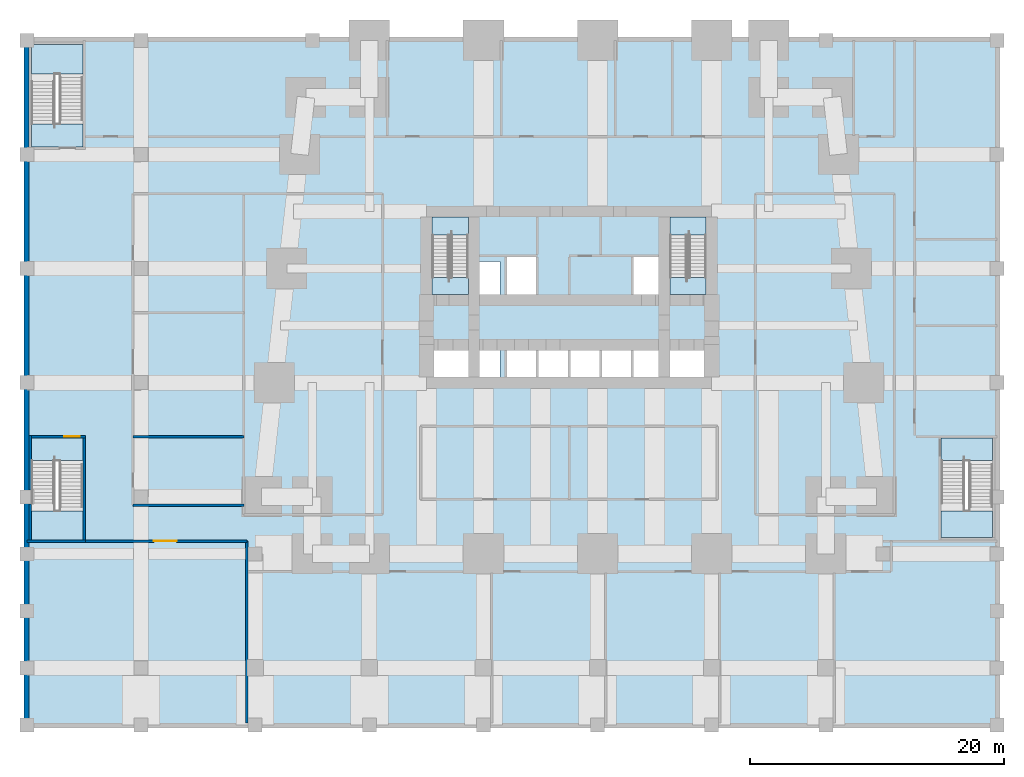
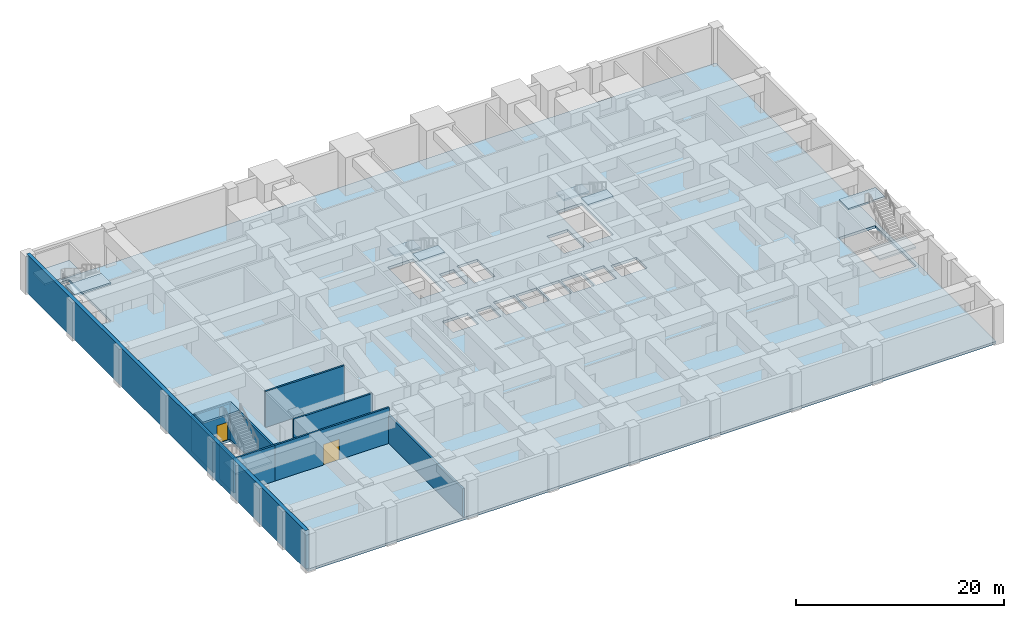
# One storey, part 2 of 8: 11 slabs, 10 walls, 2 doors, 2 openings, 5 elements without a shape of their own.
"""IFC4 building model written with IfcOpenShell, lengths in metres."""

from ifc_helpers import new_model, si_unit, direction, frame, frame_2d, origin, place, context, subcontext, project, spatial, polyline, rectangle, outline, extrude, material, layer, layer_set, type_object, element, fill, aggregate, save


model = new_model("IFC4")

# Units and contexts
model_context = context("Model", 3, precision=1e-05, world=origin(), true_north=direction((0.0, 1.0)))
body_context = subcontext(model_context, "Body", "Model", "MODEL_VIEW")
ifc_project = project(units=[si_unit("LENGTHUNIT", "METRE"), si_unit("AREAUNIT", "SQUARE_METRE"), si_unit("VOLUMEUNIT", "CUBIC_METRE"), si_unit("PLANEANGLEUNIT", "RADIAN"), si_unit("MASSUNIT", "GRAM", prefix="KILO")], contexts=[model_context])

# Site, building, storey
site_placement = place(None, origin())
site = spatial("IfcSite", under=ifc_project, at=site_placement, CompositionType="ELEMENT")
building_placement = place(site_placement, origin())
building = spatial("IfcBuilding", under=site, at=building_placement, Name="Kilele Tower Hotel", CompositionType="ELEMENT")
storey_placement = place(building_placement, frame((0.0, 0.0, -4.5)))
storey = spatial("IfcBuildingStorey", under=building, at=storey_placement, Name="B1", CompositionType="ELEMENT", Elevation=-4.5)

# Slab
ifc_material_1 = material(Name="Concrete C60/75", Category="concrete")
ifc_layer_1 = layer(ifc_material_1, 0.300048828125)
ifc_layer_set_1 = layer_set([ifc_layer_1], Name="Concrete C60/75")
slab_type_1 = type_object("IfcSlabType", Name="Floor slab 300", PredefinedType="FLOOR", material=ifc_layer_set_1)
slab_1_placement = place(storey_placement, frame((0.0, 0.0, -0.300048828125)))
element("IfcSlab", 1, at=slab_1_placement, inside=storey, type_object=slab_type_1, Name="Floor slab B1", PredefinedType="FLOOR", context=body_context, shape_type="SweptSolid", body=[
    extrude(outline(polyline([(-18.0, -13.5), (-18.0, 40.5), (58.5, 40.5), (58.5, -13.5), (-18.0, -13.5)]), holes=[polyline([(-13.60009765625, 1.10009765625), (-13.60009765625, 9.14990234375), (-17.64990234375, 9.14990234375), (-17.64990234375, 1.10009765625), (-13.60009765625, 1.10009765625)]), polyline([(16.800048828125, 13.949951171875), (16.800048828125, 16.050048828125), (13.949951171875, 16.050048828125), (13.949951171875, 13.949951171875), (16.800048828125, 13.949951171875)]), polyline([(19.300048828125, 13.949951171875), (19.300048828125, 16.050048828125), (17.699951171875, 16.050048828125), (17.699951171875, 13.949951171875), (19.300048828125, 13.949951171875)]), polyline([(22.14990234375, 13.949951171875), (22.14990234375, 16.39990234375), (19.85009765625, 16.39990234375), (19.85009765625, 13.949951171875), (22.14990234375, 13.949951171875)]), polyline([(19.300048828125, 20.449951171875), (19.300048828125, 23.050048828125), (17.699951171875, 23.050048828125), (17.699951171875, 20.449951171875), (19.300048828125, 20.449951171875)]), polyline([(22.14990234375, 20.10009765625), (22.14990234375, 23.39990234375), (19.85009765625, 23.39990234375), (19.85009765625, 20.10009765625), (22.14990234375, 20.10009765625)]), polyline([(16.800048828125, 20.449951171875), (16.800048828125, 26.550048828125), (13.949951171875, 26.550048828125), (13.949951171875, 20.449951171875), (16.800048828125, 20.449951171875)]), polyline([(-13.60009765625, 32.10009765625), (-13.60009765625, 40.14990234375), (-17.64990234375, 40.14990234375), (-17.64990234375, 32.10009765625), (-13.60009765625, 32.10009765625)]), polyline([(58.14990234375, 1.300048828125), (58.14990234375, 9.14990234375), (54.10009765625, 9.14990234375), (54.10009765625, 1.300048828125), (58.14990234375, 1.300048828125)]), polyline([(35.550048828125, 13.949951171875), (35.550048828125, 16.050048828125), (32.699951171875, 16.050048828125), (32.699951171875, 13.949951171875), (35.550048828125, 13.949951171875)]), polyline([(24.64990234375, 13.949951171875), (24.64990234375, 16.39990234375), (22.35009765625, 16.39990234375), (22.35009765625, 13.949951171875), (24.64990234375, 13.949951171875)]), polyline([(27.14990234375, 13.949951171875), (27.14990234375, 16.39990234375), (24.85009765625, 16.39990234375), (24.85009765625, 13.949951171875), (27.14990234375, 13.949951171875)]), polyline([(29.64990234375, 13.949951171875), (29.64990234375, 16.39990234375), (27.35009765625, 16.39990234375), (27.35009765625, 13.949951171875), (29.64990234375, 13.949951171875)]), polyline([(32.14990234375, 13.949951171875), (32.14990234375, 16.39990234375), (29.85009765625, 16.39990234375), (29.85009765625, 13.949951171875), (32.14990234375, 13.949951171875)]), polyline([(32.14990234375, 20.10009765625), (32.14990234375, 23.39990234375), (29.85009765625, 23.39990234375), (29.85009765625, 20.10009765625), (32.14990234375, 20.10009765625)]), polyline([(35.550048828125, 20.449951171875), (35.550048828125, 26.550048828125), (32.699951171875, 26.550048828125), (32.699951171875, 20.449951171875), (35.550048828125, 20.449951171875)])]), origin(), (0.0, 0.0, 1.0), 0.300048828125),
])

# Stair, slabs
ifc_material_2 = material(Name="Precast concrete C40/50", Category="concrete")
stair_type_1 = type_object("IfcStairType", Name="Stair 1325 x 4500", PredefinedType="HALF_TURN_STAIR", material=ifc_material_2)
stair_1_placement = place(storey_placement, origin())
stair_1 = element("IfcStair", 2, at=stair_1_placement, inside=storey, type_object=stair_type_1, Name="Stair 1 B1", PredefinedType="HALF_TURN_STAIR")
ifc_material_3 = material(Name="Precast concrete C40/50", Category="concrete")
ifc_layer_2 = layer(ifc_material_3, 0.199951171875)
ifc_layer_set_2 = layer_set([ifc_layer_2], Name="Precast concrete C40/50")
slab_type_2 = type_object("IfcSlabType", Name="Stair landing 200", PredefinedType="LANDING", material=ifc_layer_set_2)
slab_2_placement = place(storey_placement, frame((0.0, 0.0, 2.050048828125)))
slab_2 = element("IfcSlab", 3, at=slab_2_placement, type_object=slab_type_2, Name="ST1 landing 1", PredefinedType="LANDING", context=body_context, shape_type="SweptSolid", body=[
    extrude(outline(polyline([(13.949951171875, 25.135009765625), (16.800048828125, 25.135009765625), (16.800048828125, 26.550048828125), (13.949951171875, 26.550048828125), (13.949951171875, 25.135009765625)])), origin(), (0.0, 0.0, 1.0), 0.199951171875),
])
slab_3_placement = place(storey_placement, frame((0.0, 0.0, 4.300048828125)))
slab_3 = element("IfcSlab", 4, at=slab_3_placement, type_object=slab_type_2, Name="ST1 landing 2", PredefinedType="LANDING", context=body_context, shape_type="SweptSolid", body=[
    extrude(outline(polyline([(13.949951171875, 20.449951171875), (16.800048828125, 20.449951171875), (16.800048828125, 21.77490234375), (13.949951171875, 21.77490234375), (13.949951171875, 20.449951171875)])), origin(), (0.0, 0.0, 1.0), 0.199951171875),
])
aggregate(stair_1, [slab_2, slab_3])

stair_2_placement = place(storey_placement, origin())
stair_2 = element("IfcStair", 5, at=stair_2_placement, inside=storey, type_object=stair_type_1, Name="Stair 2 B1", PredefinedType="HALF_TURN_STAIR")
slab_4_placement = place(storey_placement, frame((0.0, 0.0, 2.050048828125)))
slab_4 = element("IfcSlab", 6, at=slab_4_placement, type_object=slab_type_2, Name="ST2 landing 1", PredefinedType="LANDING", context=body_context, shape_type="SweptSolid", body=[
    extrude(outline(polyline([(32.699951171875, 25.135009765625), (35.550048828125, 25.135009765625), (35.550048828125, 26.550048828125), (32.699951171875, 26.550048828125), (32.699951171875, 25.135009765625)])), origin(), (0.0, 0.0, 1.0), 0.199951171875),
])
slab_5_placement = place(storey_placement, frame((0.0, 0.0, 4.300048828125)))
slab_5 = element("IfcSlab", 7, at=slab_5_placement, type_object=slab_type_2, Name="ST2 landing 2", PredefinedType="LANDING", context=body_context, shape_type="SweptSolid", body=[
    extrude(outline(polyline([(32.699951171875, 20.449951171875), (35.550048828125, 20.449951171875), (35.550048828125, 21.77490234375), (32.699951171875, 21.77490234375), (32.699951171875, 20.449951171875)])), origin(), (0.0, 0.0, 1.0), 0.199951171875),
])
aggregate(stair_2, [slab_4, slab_5])

ifc_material_4 = material(Name="Precast concrete C40/50", Category="concrete")
stair_type_2 = type_object("IfcStairType", Name="Stair 1800 x 4500", PredefinedType="HALF_TURN_STAIR", material=ifc_material_4)
stair_3_placement = place(storey_placement, origin())
stair_3 = element("IfcStair", 8, at=stair_3_placement, inside=storey, type_object=stair_type_2, Name="Stair 3 B1", PredefinedType="HALF_TURN_STAIR")
slab_6_placement = place(storey_placement, frame((0.0, 0.0, 2.050048828125)))
slab_6 = element("IfcSlab", 9, at=slab_6_placement, type_object=slab_type_2, Name="ST3 landing 1", PredefinedType="LANDING", context=body_context, shape_type="SweptSolid", body=[
    extrude(outline(polyline([(-17.64990234375, 37.860107421875), (-13.60009765625, 37.860107421875), (-13.60009765625, 40.14990234375), (-17.64990234375, 40.14990234375), (-17.64990234375, 37.860107421875)])), origin(), (0.0, 0.0, 1.0), 0.199951171875),
])
slab_7_placement = place(storey_placement, frame((0.0, 0.0, 4.300048828125)))
slab_7 = element("IfcSlab", 10, at=slab_7_placement, type_object=slab_type_2, Name="ST3 landing 2", PredefinedType="LANDING", context=body_context, shape_type="SweptSolid", body=[
    extrude(outline(polyline([(-17.64990234375, 32.10009765625), (-13.60009765625, 32.10009765625), (-13.60009765625, 33.89990234375), (-17.64990234375, 33.89990234375), (-17.64990234375, 32.10009765625)])), origin(), (0.0, 0.0, 1.0), 0.199951171875),
])
aggregate(stair_3, [slab_6, slab_7])

stair_4_placement = place(storey_placement, origin())
stair_4 = element("IfcStair", 11, at=stair_4_placement, inside=storey, type_object=stair_type_2, Name="Stair 4 B1", PredefinedType="HALF_TURN_STAIR")
slab_8_placement = place(storey_placement, frame((0.0, 0.0, 2.050048828125)))
slab_8 = element("IfcSlab", 12, at=slab_8_placement, type_object=slab_type_2, Name="ST4 landing 1", PredefinedType="LANDING", context=body_context, shape_type="SweptSolid", body=[
    extrude(outline(polyline([(-17.64990234375, 1.10009765625), (-13.60009765625, 1.10009765625), (-13.60009765625, 3.389892578125), (-17.64990234375, 3.389892578125), (-17.64990234375, 1.10009765625)])), origin(), (0.0, 0.0, 1.0), 0.199951171875),
])
slab_9_placement = place(storey_placement, frame((0.0, 0.0, 4.300048828125)))
slab_9 = element("IfcSlab", 13, at=slab_9_placement, type_object=slab_type_2, Name="ST4 landing 2", PredefinedType="LANDING", context=body_context, shape_type="SweptSolid", body=[
    extrude(outline(polyline([(-17.64990234375, 7.35009765625), (-13.60009765625, 7.35009765625), (-13.60009765625, 9.14990234375), (-17.64990234375, 9.14990234375), (-17.64990234375, 7.35009765625)])), origin(), (0.0, 0.0, 1.0), 0.199951171875),
])
aggregate(stair_4, [slab_8, slab_9])

stair_5_placement = place(storey_placement, origin())
stair_5 = element("IfcStair", 14, at=stair_5_placement, inside=storey, type_object=stair_type_2, Name="Stair 5 B1", PredefinedType="HALF_TURN_STAIR")
slab_10_placement = place(storey_placement, frame((0.0, 0.0, 2.050048828125)))
slab_10 = element("IfcSlab", 15, at=slab_10_placement, type_object=slab_type_2, Name="ST5 landing 1", PredefinedType="LANDING", context=body_context, shape_type="SweptSolid", body=[
    extrude(outline(polyline([(54.10009765625, 1.300048828125), (58.14990234375, 1.300048828125), (58.14990234375, 3.389892578125), (54.10009765625, 3.389892578125), (54.10009765625, 1.300048828125)])), origin(), (0.0, 0.0, 1.0), 0.199951171875),
])
slab_11_placement = place(storey_placement, frame((0.0, 0.0, 4.300048828125)))
slab_11 = element("IfcSlab", 16, at=slab_11_placement, type_object=slab_type_2, Name="ST5 landing 2", PredefinedType="LANDING", context=body_context, shape_type="SweptSolid", body=[
    extrude(outline(polyline([(54.10009765625, 7.35009765625), (58.14990234375, 7.35009765625), (58.14990234375, 9.14990234375), (54.10009765625, 9.14990234375), (54.10009765625, 7.35009765625)])), origin(), (0.0, 0.0, 1.0), 0.199951171875),
])
aggregate(stair_5, [slab_10, slab_11])

# Walls
ifc_material_5 = material(Name="Concrete C70/85", Category="concrete")
ifc_layer_3 = layer(ifc_material_5, 0.39990234375)
ifc_layer_set_3 = layer_set([ifc_layer_3], Name="Concrete C70/85")
wall_type_1 = type_object("IfcWallType", Name="Basement retaining wall 400", PredefinedType="SOLIDWALL", material=ifc_layer_set_3)
wall_1_placement = place(storey_placement, frame((-18.050048828125, 40.35009765625, 0.0), z_axis=(0.0, 0.0, 1.0), x_axis=(0.0, -1.0, 0.0)))
element("IfcWall", 17, at=wall_1_placement, inside=storey, type_object=wall_type_1, Name="Retaining wall B1 W", PredefinedType="SOLIDWALL", context=body_context, shape_type="SweptSolid", body=[
    extrude(rectangle(XDim=53.7001953125, YDim=0.39990234375, at=frame_2d((26.85009765625, 0.0))), origin(), (0.0, 0.0, 1.0), 4.5),
])
ifc_material_6 = material(Name="Blockwork, plastered both sides", Category="masonry")
ifc_layer_4 = layer(ifc_material_6, 0.199951171875)
ifc_layer_set_4 = layer_set([ifc_layer_4], Name="Blockwork, plastered both sides")
wall_type_2 = type_object("IfcWallType", Name="Partition wall 200", PredefinedType="PARTITIONING", material=ifc_layer_set_4)
wall_2_placement = place(storey_placement, frame((-0.64990234375, -13.35009765625, 0.0), z_axis=(0.0, 0.0, 1.0), x_axis=(0.0, 1.0, 0.0)))
element("IfcWall", 18, at=wall_2_placement, inside=storey, type_object=wall_type_2, Name="Partition wall 200 B1", PredefinedType="PARTITIONING", context=body_context, shape_type="SweptSolid", body=[
    extrude(rectangle(XDim=14.35009765625, YDim=0.199951171875, at=frame_2d((7.175048828125, 0.0))), origin(), (0.0, 0.0, 1.0), 3.300048828125),
])

# Wall, opening, door
wall_3_placement = place(storey_placement, frame((-13.5, 1.0, 0.0), z_axis=(0.0, 0.0, 1.0), x_axis=(1.0, 0.0, 0.0)))
wall_3 = element("IfcWall", 19, at=wall_3_placement, inside=storey, type_object=wall_type_2, Name="Partition wall 200 B1", PredefinedType="PARTITIONING", context=body_context, shape_type="SweptSolid", body=[
    extrude(rectangle(XDim=12.85009765625, YDim=0.199951171875, at=frame_2d((6.425048828125, 0.0))), origin(), (0.0, 0.0, 1.0), 4.199951171875),
])
opening_1_placement = place(wall_3_placement, frame((5.5, 0.0, 0.0)))
opening_1 = element("IfcOpeningElement", 20, at=opening_1_placement, cuts=wall_3, Name="Opening D9", PredefinedType="OPENING", context=body_context, shape_type="SweptSolid", body=[
    extrude(rectangle(XDim=1.800048828125, YDim=2.39990234375, at=frame_2d((0.89990234375, 1.199951171875))), frame((0.0, 0.10986328125, 0.0), z_axis=(0.0, -1.0, 0.0), x_axis=(1.0, 0.0, 0.0)), (0.0, 0.0, 1.0), 0.219970703125),
])
ifc_material_7 = material(Name="Timber door leaf in hardwood frame", Category="wood")
door_type_1 = type_object("IfcDoorType", Name="Double door 1800", OperationType="DOUBLE_DOOR_SINGLE_SWING", PredefinedType="DOOR", material=ifc_material_7)
door_1_placement = place(opening_1_placement, origin())
door_1 = element("IfcDoor", 21, at=door_1_placement, inside=storey, type_object=door_type_1, Name="Door staff canteen", OperationType="DOUBLE_DOOR_SINGLE_SWING", OverallHeight=2.39990234375, OverallWidth=1.800048828125, PredefinedType="DOOR", context=body_context, shape_type="SweptSolid", body=[
    extrude(rectangle(XDim=1.800048828125, YDim=2.39990234375, at=frame_2d((0.89990234375, 1.199951171875))), frame((0.0, 0.02490234375, 0.0), z_axis=(0.0, -1.0, 0.0), x_axis=(1.0, 0.0, 0.0)), (0.0, 0.0, 1.0), 0.050048828125),
])
fill(opening_1, door_1)

# Walls
for number, where, z_axis, x_axis, name in (
    (22, (-9.64990234375, 3.85009765625, 0.0), (0.0, 0.0, 1.0), (1.0, 0.0, 0.0), "Partition wall 200 B1"),
    (23, (-9.64990234375, 9.25, 0.0), (0.0, 0.0, 1.0), (1.0, 0.0, 0.0), "Partition wall 200 B1"),
):
    element("IfcWall", number, at=place(storey_placement, frame(where, z_axis=z_axis, x_axis=x_axis)), inside=storey, type_object=wall_type_2, Name=name, PredefinedType="PARTITIONING", context=body_context, shape_type="SweptSolid", body=[
        extrude(rectangle(XDim=8.75, YDim=0.199951171875, at=frame_2d((4.375, 0.0))), origin(), (0.0, 0.0, 1.0), 4.199951171875),
    ])

# Wall, opening, door
ifc_material_8 = material(Name="Concrete C40/50", Category="concrete")
ifc_layer_5 = layer(ifc_material_8, 0.199951171875)
ifc_layer_set_5 = layer_set([ifc_layer_5], Name="Concrete C40/50")
wall_type_3 = type_object("IfcWallType", Name="Stair wall RC 200 C40/50", PredefinedType="SOLIDWALL", material=ifc_layer_set_5)
wall_4_placement = place(storey_placement, frame((-17.64990234375, 9.25, 0.0), z_axis=(0.0, 0.0, 1.0), x_axis=(1.0, 0.0, 0.0)))
wall_4 = element("IfcWall", 24, at=wall_4_placement, inside=storey, type_object=wall_type_3, Name="Stair wall RC 200 C40/50 B1", PredefinedType="SOLIDWALL", context=body_context, shape_type="SweptSolid", body=[
    extrude(rectangle(XDim=4.25, YDim=0.199951171875, at=frame_2d((2.125, 0.0))), origin(), (0.0, 0.0, 1.0), 4.199951171875),
])
opening_2_placement = place(wall_4_placement, frame((3.800048828125, 0.0, 0.0), z_axis=(0.0, 0.0, 1.0), x_axis=(-1.0, 0.0, 0.0)))
opening_2 = element("IfcOpeningElement", 25, at=opening_2_placement, cuts=wall_4, Name="Opening D5A", PredefinedType="OPENING", context=body_context, shape_type="SweptSolid", body=[
    extrude(rectangle(XDim=1.199951171875, YDim=2.10009765625, at=frame_2d((0.60009765625, 1.050048828125))), frame((0.0, 0.10986328125, 0.0), z_axis=(0.0, -1.0, 0.0), x_axis=(1.0, 0.0, 0.0)), (0.0, 0.0, 1.0), 0.219970703125),
])
ifc_material_9 = material(Name="Timber door leaf in hardwood frame", Category="wood")
door_type_2 = type_object("IfcDoorType", Name="Stair door 1200", OperationType="SINGLE_SWING_LEFT", PredefinedType="DOOR", material=ifc_material_9)
door_2_placement = place(opening_2_placement, origin())
door_2 = element("IfcDoor", 26, at=door_2_placement, inside=storey, type_object=door_type_2, Name="Stair 4 door", OperationType="SINGLE_SWING_LEFT", OverallHeight=2.10009765625, OverallWidth=1.199951171875, PredefinedType="DOOR", context=body_context, shape_type="SweptSolid", body=[
    extrude(rectangle(XDim=1.199951171875, YDim=2.10009765625, at=frame_2d((0.60009765625, 1.050048828125))), frame((0.0, 0.02490234375, 0.0), z_axis=(0.0, -1.0, 0.0), x_axis=(1.0, 0.0, 0.0)), (0.0, 0.0, 1.0), 0.050048828125),
])
fill(opening_2, door_2)

# Walls
wall_5_placement = place(storey_placement, frame((-18.0, 1.0, 0.0), z_axis=(0.0, 0.0, 1.0), x_axis=(1.0, 0.0, 0.0)))
element("IfcWall", 27, at=wall_5_placement, inside=storey, type_object=wall_type_3, Name="Stair wall RC 200 C40/50 B1", PredefinedType="SOLIDWALL", context=body_context, shape_type="SweptSolid", body=[
    extrude(rectangle(XDim=4.60009765625, YDim=0.199951171875, at=frame_2d((2.300048828125, 0.0))), origin(), (0.0, 0.0, 1.0), 4.199951171875),
])
wall_6_placement = place(storey_placement, frame((-13.5, 1.10009765625, 0.0), z_axis=(0.0, 0.0, 1.0), x_axis=(0.0, 1.0, 0.0)))
element("IfcWall", 28, at=wall_6_placement, inside=storey, type_object=wall_type_3, Name="Stair wall RC 200 C40/50 B1", PredefinedType="SOLIDWALL", context=body_context, shape_type="SweptSolid", body=[
    extrude(rectangle(XDim=8.0498046875, YDim=0.199951171875, at=frame_2d((4.02490234375, 0.0))), origin(), (0.0, 0.0, 1.0), 4.199951171875),
])
wall_7_placement = place(storey_placement, frame((-17.75, 1.10009765625, 0.0), z_axis=(0.0, 0.0, 1.0), x_axis=(0.0, 1.0, 0.0)))
element("IfcWall", 29, at=wall_7_placement, inside=storey, type_object=wall_type_3, Name="Stair wall RC 200 C40/50 B1", PredefinedType="SOLIDWALL", context=body_context, shape_type="SweptSolid", body=[
    extrude(rectangle(XDim=2.849853515625, YDim=0.199951171875, at=frame_2d((1.4248046875, 0.0))), origin(), (0.0, 0.0, 1.0), 4.199951171875),
])
wall_8_placement = place(storey_placement, frame((-17.75, 5.050048828125, 0.0), z_axis=(0.0, 0.0, 1.0), x_axis=(0.0, 1.0, 0.0)))
element("IfcWall", 30, at=wall_8_placement, inside=storey, type_object=wall_type_3, Name="Stair wall RC 200 C40/50 B1", PredefinedType="SOLIDWALL", context=body_context, shape_type="SweptSolid", body=[
    extrude(rectangle(XDim=4.300048828125, YDim=0.199951171875, at=frame_2d((2.14990234375, 0.0))), origin(), (0.0, 0.0, 1.0), 4.199951171875),
])

save(model, "model.ifc")
